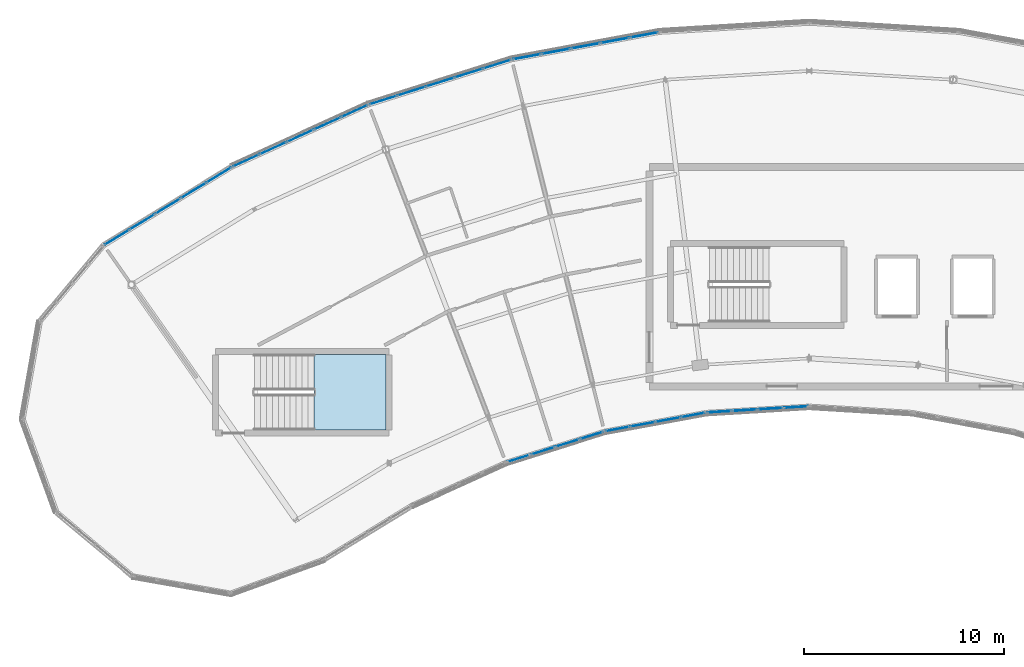
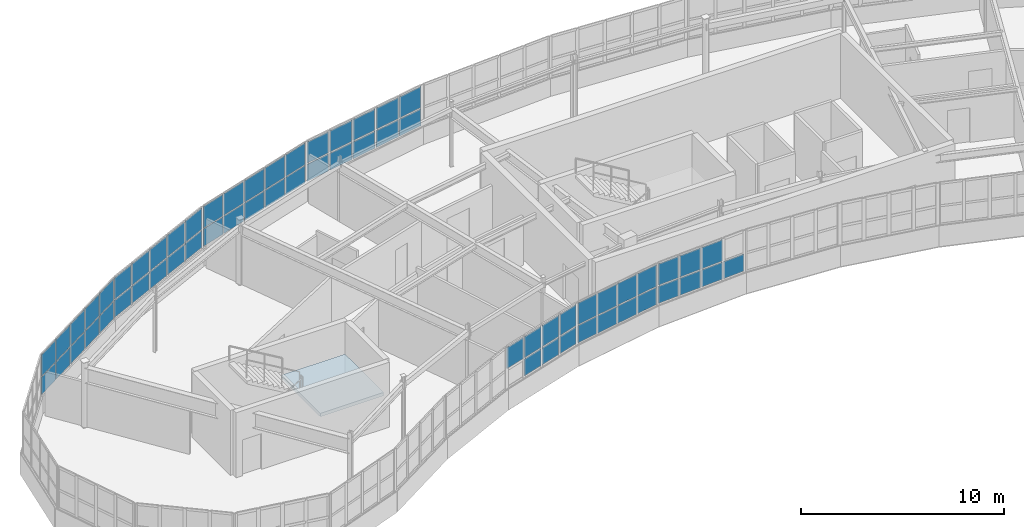
# One storey, part 41 of 65: 62 plates, 1 slab, 8 elements without a shape of their own.
"""IFC4 building model written with IfcOpenShell, lengths in metres."""

from ifc_helpers import new_model, si_unit, direction, frame, origin, origin_2d, place, context, subcontext, project, spatial, polyline, rectangle, outline, extrude, material, layer, layer_set, type_object, element, aggregate, save


model = new_model("IFC4")

# Units and contexts
model_context = context("Model", 3, precision=1e-05, world=origin(), true_north=direction((0.0, 1.0)))
body_context = subcontext(model_context, "Body", "Model", "MODEL_VIEW")
ifc_project = project(units=[si_unit("LENGTHUNIT", "METRE"), si_unit("AREAUNIT", "SQUARE_METRE"), si_unit("VOLUMEUNIT", "CUBIC_METRE"), si_unit("PLANEANGLEUNIT", "RADIAN"), si_unit("MASSUNIT", "GRAM", prefix="KILO")], contexts=[model_context])

# Site, building, storey
site_placement = place(None, origin())
site = spatial("IfcSite", under=ifc_project, at=site_placement, CompositionType="ELEMENT")
building_placement = place(site_placement, origin())
building = spatial("IfcBuilding", under=site, at=building_placement, Name="Tarnwether General Hospital", CompositionType="ELEMENT")
storey_placement = place(building_placement, frame((0.0, 0.0, 22.199951171875)))
storey = spatial("IfcBuildingStorey", under=building, at=storey_placement, Name="L05", CompositionType="ELEMENT", Elevation=22.199951171875)

# Curtain wall, plates
ifc_material_1 = material(Name="Anodised aluminium", Category="aluminium")
ifc_layer_1 = layer(ifc_material_1, 0.159912109375)
ifc_layer_set_1 = layer_set([ifc_layer_1], Name="Anodised aluminium")
curtain_wall_type_1 = type_object("IfcCurtainWallType", Name="CW-03", PredefinedType="NOTDEFINED", material=ifc_layer_set_1)
curtain_wall_1_placement = place(storey_placement, origin())
curtain_wall_1 = element("IfcCurtainWall", 1, at=curtain_wall_1_placement, inside=storey, type_object=curtain_wall_type_1, Name="Curtain Wall CWG-L05-817_1041-0072", PredefinedType="NOTDEFINED")
ifc_material_2 = material(Name="Double glazed low-E glass", Category="glass")
ifc_layer_2 = layer(ifc_material_2, 0.028076171875)
ifc_layer_set_2 = layer_set([ifc_layer_2], Name="Double glazed low-E glass")
plate_type_1 = type_object("IfcPlateType", Name="PT-CWP1", PredefinedType="CURTAIN_PANEL", material=ifc_layer_set_2)
plate_1_placement = place(storey_placement, frame((81.106689453125, 103.9404296875, 1.1298828125), z_axis=(0.0, 0.0, 1.0), x_axis=(-0.953713927508, -0.30071538783, 0.0)))
plate_1 = element("IfcPlate", 2, at=plate_1_placement, type_object=plate_type_1, Name="CW-03 panel 1.1", PredefinedType="CURTAIN_PANEL", context=body_context, shape_type="SweptSolid", body=[
    extrude(rectangle(XDim=1.17431640625, YDim=0.028076171875, at=origin_2d()), origin(), (0.0, 0.0, 1.0), 1.009521484375),
])
plate_2_placement = place(storey_placement, frame((81.106689453125, 103.9404296875, 2.2197265625), z_axis=(0.0, 0.0, 1.0), x_axis=(-0.953713927508, -0.30071538783, 0.0)))
plate_2 = element("IfcPlate", 3, at=plate_2_placement, type_object=plate_type_1, Name="CW-03 panel 1.2", PredefinedType="CURTAIN_PANEL", context=body_context, shape_type="SweptSolid", body=[
    extrude(rectangle(XDim=1.17431640625, YDim=0.028076171875, at=origin_2d()), origin(), (0.0, 0.0, 1.0), 1.260498046875),
])
plate_3_placement = place(storey_placement, frame((79.891357421875, 103.55712890625, 1.1298828125), z_axis=(0.0, 0.0, 1.0), x_axis=(-0.953713927508, -0.30071538783, 0.0)))
plate_3 = element("IfcPlate", 4, at=plate_3_placement, type_object=plate_type_1, Name="CW-03 panel 2.1", PredefinedType="CURTAIN_PANEL", context=body_context, shape_type="SweptSolid", body=[
    extrude(rectangle(XDim=1.21435546875, YDim=0.028076171875, at=origin_2d()), origin(), (0.0, 0.0, 1.0), 1.009521484375),
])
plate_4_placement = place(storey_placement, frame((79.891357421875, 103.55712890625, 2.2197265625), z_axis=(0.0, 0.0, 1.0), x_axis=(-0.953713927508, -0.30071538783, 0.0)))
plate_4 = element("IfcPlate", 5, at=plate_4_placement, type_object=plate_type_1, Name="CW-03 panel 2.2", PredefinedType="CURTAIN_PANEL", context=body_context, shape_type="SweptSolid", body=[
    extrude(rectangle(XDim=1.21435546875, YDim=0.028076171875, at=origin_2d()), origin(), (0.0, 0.0, 1.0), 1.260498046875),
])
plate_5_placement = place(storey_placement, frame((78.65673828125, 103.16796875, 1.1298828125), z_axis=(0.0, 0.0, 1.0), x_axis=(-0.953713927508, -0.30071538783, 0.0)))
plate_5 = element("IfcPlate", 6, at=plate_5_placement, type_object=plate_type_1, Name="CW-03 panel 3.1", PredefinedType="CURTAIN_PANEL", context=body_context, shape_type="SweptSolid", body=[
    extrude(rectangle(XDim=1.21435546875, YDim=0.028076171875, at=origin_2d()), origin(), (0.0, 0.0, 1.0), 1.009521484375),
])
plate_6_placement = place(storey_placement, frame((78.65673828125, 103.16796875, 2.2197265625), z_axis=(0.0, 0.0, 1.0), x_axis=(-0.953713927508, -0.30071538783, 0.0)))
plate_6 = element("IfcPlate", 7, at=plate_6_placement, type_object=plate_type_1, Name="CW-03 panel 3.2", PredefinedType="CURTAIN_PANEL", context=body_context, shape_type="SweptSolid", body=[
    extrude(rectangle(XDim=1.21435546875, YDim=0.028076171875, at=origin_2d()), origin(), (0.0, 0.0, 1.0), 1.260498046875),
])
plate_7_placement = place(storey_placement, frame((77.44140625, 102.78466796875, 2.2197265625), z_axis=(0.0, 0.0, 1.0), x_axis=(-0.953713927508, -0.30071538783, 0.0)))
plate_7 = element("IfcPlate", 8, at=plate_7_placement, type_object=plate_type_1, Name="CW-03 panel 4.2", PredefinedType="CURTAIN_PANEL", context=body_context, shape_type="SweptSolid", body=[
    extrude(rectangle(XDim=1.17431640625, YDim=0.028076171875, at=origin_2d()), origin(), (0.0, 0.0, 1.0), 1.260498046875),
])
aggregate(curtain_wall_1, [plate_1, plate_2, plate_3, plate_4, plate_5, plate_6, plate_7])

curtain_wall_2_placement = place(storey_placement, origin())
curtain_wall_2 = element("IfcCurtainWall", 9, at=curtain_wall_2_placement, inside=storey, type_object=curtain_wall_type_1, Name="Curtain Wall CWG-L05-868_1051-0073", PredefinedType="NOTDEFINED")
plate_8_placement = place(storey_placement, frame((86.181884765625, 104.96337890625, 1.110107421875), z_axis=(0.0, 0.0, 1.0), x_axis=(-0.983267910924, -0.182165351666, 0.0)))
plate_8 = element("IfcPlate", 10, at=plate_8_placement, type_object=plate_type_1, Name="CW-03 panel 1.1", PredefinedType="CURTAIN_PANEL", context=body_context, shape_type="SweptSolid", body=[
    extrude(rectangle(XDim=1.2041015625, YDim=0.028076171875, at=origin_2d()), origin(), (0.0, 0.0, 1.0), 1.03955078125),
])
plate_9_placement = place(storey_placement, frame((86.181884765625, 104.96337890625, 2.20947265625), z_axis=(0.0, 0.0, 1.0), x_axis=(-0.983267910924, -0.182165351666, 0.0)))
plate_9 = element("IfcPlate", 11, at=plate_9_placement, type_object=plate_type_1, Name="CW-03 panel 1.2", PredefinedType="CURTAIN_PANEL", context=body_context, shape_type="SweptSolid", body=[
    extrude(rectangle(XDim=1.2041015625, YDim=0.028076171875, at=origin_2d()), origin(), (0.0, 0.0, 1.0), 1.29052734375),
])
plate_10_placement = place(storey_placement, frame((84.92431640625, 104.73046875, 1.110107421875), z_axis=(0.0, 0.0, 1.0), x_axis=(-0.983267910924, -0.182165351666, 0.0)))
plate_10 = element("IfcPlate", 12, at=plate_10_placement, type_object=plate_type_1, Name="CW-03 panel 2.1", PredefinedType="CURTAIN_PANEL", context=body_context, shape_type="SweptSolid", body=[
    extrude(rectangle(XDim=1.234130859375, YDim=0.028076171875, at=origin_2d()), origin(), (0.0, 0.0, 1.0), 1.03955078125),
])
plate_11_placement = place(storey_placement, frame((84.92431640625, 104.73046875, 2.20947265625), z_axis=(0.0, 0.0, 1.0), x_axis=(-0.983267910924, -0.182165351666, 0.0)))
plate_11 = element("IfcPlate", 13, at=plate_11_placement, type_object=plate_type_1, Name="CW-03 panel 2.2", PredefinedType="CURTAIN_PANEL", context=body_context, shape_type="SweptSolid", body=[
    extrude(rectangle(XDim=1.234130859375, YDim=0.028076171875, at=origin_2d()), origin(), (0.0, 0.0, 1.0), 1.29052734375),
])
plate_12_placement = place(storey_placement, frame((83.65185546875, 104.49462890625, 1.110107421875), z_axis=(0.0, 0.0, 1.0), x_axis=(-0.983267910924, -0.182165351666, 0.0)))
plate_12 = element("IfcPlate", 14, at=plate_12_placement, type_object=plate_type_1, Name="CW-03 panel 3.1", PredefinedType="CURTAIN_PANEL", context=body_context, shape_type="SweptSolid", body=[
    extrude(rectangle(XDim=1.234130859375, YDim=0.028076171875, at=origin_2d()), origin(), (0.0, 0.0, 1.0), 1.03955078125),
])
plate_13_placement = place(storey_placement, frame((83.65185546875, 104.49462890625, 2.20947265625), z_axis=(0.0, 0.0, 1.0), x_axis=(-0.983267910924, -0.182165351666, 0.0)))
plate_13 = element("IfcPlate", 15, at=plate_13_placement, type_object=plate_type_1, Name="CW-03 panel 3.2", PredefinedType="CURTAIN_PANEL", context=body_context, shape_type="SweptSolid", body=[
    extrude(rectangle(XDim=1.234130859375, YDim=0.028076171875, at=origin_2d()), origin(), (0.0, 0.0, 1.0), 1.29052734375),
])
plate_14_placement = place(storey_placement, frame((82.39404296875, 104.26171875, 1.110107421875), z_axis=(0.0, 0.0, 1.0), x_axis=(-0.983267910924, -0.182165351666, 0.0)))
plate_14 = element("IfcPlate", 16, at=plate_14_placement, type_object=plate_type_1, Name="CW-03 panel 4.1", PredefinedType="CURTAIN_PANEL", context=body_context, shape_type="SweptSolid", body=[
    extrude(rectangle(XDim=1.2041015625, YDim=0.028076171875, at=origin_2d()), origin(), (0.0, 0.0, 1.0), 1.03955078125),
])
plate_15_placement = place(storey_placement, frame((82.39404296875, 104.26171875, 2.20947265625), z_axis=(0.0, 0.0, 1.0), x_axis=(-0.983267910924, -0.182165351666, 0.0)))
plate_15 = element("IfcPlate", 17, at=plate_15_placement, type_object=plate_type_1, Name="CW-03 panel 4.2", PredefinedType="CURTAIN_PANEL", context=body_context, shape_type="SweptSolid", body=[
    extrude(rectangle(XDim=1.2041015625, YDim=0.028076171875, at=origin_2d()), origin(), (0.0, 0.0, 1.0), 1.29052734375),
])
aggregate(curtain_wall_2, [plate_8, plate_9, plate_10, plate_11, plate_12, plate_13, plate_14, plate_15])

ifc_material_3 = material(Name="Anodised aluminium", Category="aluminium")
ifc_layer_3 = layer(ifc_material_3, 0.159912109375)
ifc_layer_set_3 = layer_set([ifc_layer_3], Name="Anodised aluminium")
curtain_wall_type_2 = type_object("IfcCurtainWallType", Name="CW-05", PredefinedType="NOTDEFINED", material=ifc_layer_set_3)
curtain_wall_3_placement = place(storey_placement, origin())
curtain_wall_3 = element("IfcCurtainWall", 18, at=curtain_wall_3_placement, inside=storey, type_object=curtain_wall_type_2, Name="Curtain Wall CWG-L05-699_1205-0093", PredefinedType="NOTDEFINED")
plate_16_placement = place(storey_placement, frame((70.656494140625, 120.739501953125, 1.110107421875), z_axis=(0.0, 0.0, 1.0), x_axis=(0.953741284032, 0.300628613299, 0.0)))
plate_16 = element("IfcPlate", 19, at=plate_16_placement, type_object=plate_type_1, Name="CW-05 panel 1.1", PredefinedType="CURTAIN_PANEL", context=body_context, shape_type="SweptSolid", body=[
    extrude(rectangle(XDim=1.4140625, YDim=0.028076171875, at=origin_2d()), origin(), (0.0, 0.0, 1.0), 1.03955078125),
])
plate_17_placement = place(storey_placement, frame((70.656494140625, 120.739501953125, 2.20947265625), z_axis=(0.0, 0.0, 1.0), x_axis=(0.953741284032, 0.300628613299, 0.0)))
plate_17 = element("IfcPlate", 20, at=plate_17_placement, type_object=plate_type_1, Name="CW-05 panel 1.2", PredefinedType="CURTAIN_PANEL", context=body_context, shape_type="SweptSolid", body=[
    extrude(rectangle(XDim=1.4140625, YDim=0.028076171875, at=origin_2d()), origin(), (0.0, 0.0, 1.0), 1.29052734375),
])
plate_18_placement = place(storey_placement, frame((72.076904296875, 121.187255859375, 1.110107421875), z_axis=(0.0, 0.0, 1.0), x_axis=(0.953741284032, 0.300628613299, 0.0)))
plate_18 = element("IfcPlate", 21, at=plate_18_placement, type_object=plate_type_1, Name="CW-05 panel 2.1", PredefinedType="CURTAIN_PANEL", context=body_context, shape_type="SweptSolid", body=[
    extrude(rectangle(XDim=1.444091796875, YDim=0.028076171875, at=origin_2d()), origin(), (0.0, 0.0, 1.0), 1.03955078125),
])
plate_19_placement = place(storey_placement, frame((72.076904296875, 121.187255859375, 2.20947265625), z_axis=(0.0, 0.0, 1.0), x_axis=(0.953741284032, 0.300628613299, 0.0)))
plate_19 = element("IfcPlate", 22, at=plate_19_placement, type_object=plate_type_1, Name="CW-05 panel 2.2", PredefinedType="CURTAIN_PANEL", context=body_context, shape_type="SweptSolid", body=[
    extrude(rectangle(XDim=1.444091796875, YDim=0.028076171875, at=origin_2d()), origin(), (0.0, 0.0, 1.0), 1.29052734375),
])
plate_20_placement = place(storey_placement, frame((73.511474609375, 121.639404296875, 1.110107421875), z_axis=(0.0, 0.0, 1.0), x_axis=(0.953741284032, 0.300628613299, 0.0)))
plate_20 = element("IfcPlate", 23, at=plate_20_placement, type_object=plate_type_1, Name="CW-05 panel 3.1", PredefinedType="CURTAIN_PANEL", context=body_context, shape_type="SweptSolid", body=[
    extrude(rectangle(XDim=1.444091796875, YDim=0.028076171875, at=origin_2d()), origin(), (0.0, 0.0, 1.0), 1.03955078125),
])
plate_21_placement = place(storey_placement, frame((73.511474609375, 121.639404296875, 2.20947265625), z_axis=(0.0, 0.0, 1.0), x_axis=(0.953741284032, 0.300628613299, 0.0)))
plate_21 = element("IfcPlate", 24, at=plate_21_placement, type_object=plate_type_1, Name="CW-05 panel 3.2", PredefinedType="CURTAIN_PANEL", context=body_context, shape_type="SweptSolid", body=[
    extrude(rectangle(XDim=1.444091796875, YDim=0.028076171875, at=origin_2d()), origin(), (0.0, 0.0, 1.0), 1.29052734375),
])
plate_22_placement = place(storey_placement, frame((74.946044921875, 122.091796875, 1.110107421875), z_axis=(0.0, 0.0, 1.0), x_axis=(0.953741284032, 0.300628613299, 0.0)))
plate_22 = element("IfcPlate", 25, at=plate_22_placement, type_object=plate_type_1, Name="CW-05 panel 4.1", PredefinedType="CURTAIN_PANEL", context=body_context, shape_type="SweptSolid", body=[
    extrude(rectangle(XDim=1.444091796875, YDim=0.028076171875, at=origin_2d()), origin(), (0.0, 0.0, 1.0), 1.03955078125),
])
plate_23_placement = place(storey_placement, frame((74.946044921875, 122.091796875, 2.20947265625), z_axis=(0.0, 0.0, 1.0), x_axis=(0.953741284032, 0.300628613299, 0.0)))
plate_23 = element("IfcPlate", 26, at=plate_23_placement, type_object=plate_type_1, Name="CW-05 panel 4.2", PredefinedType="CURTAIN_PANEL", context=body_context, shape_type="SweptSolid", body=[
    extrude(rectangle(XDim=1.444091796875, YDim=0.028076171875, at=origin_2d()), origin(), (0.0, 0.0, 1.0), 1.29052734375),
])
plate_24_placement = place(storey_placement, frame((76.366455078125, 122.539306640625, 1.110107421875), z_axis=(0.0, 0.0, 1.0), x_axis=(0.953741284032, 0.300628613299, 0.0)))
plate_24 = element("IfcPlate", 27, at=plate_24_placement, type_object=plate_type_1, Name="CW-05 panel 5.1", PredefinedType="CURTAIN_PANEL", context=body_context, shape_type="SweptSolid", body=[
    extrude(rectangle(XDim=1.4140625, YDim=0.028076171875, at=origin_2d()), origin(), (0.0, 0.0, 1.0), 1.03955078125),
])
plate_25_placement = place(storey_placement, frame((76.366455078125, 122.539306640625, 2.20947265625), z_axis=(0.0, 0.0, 1.0), x_axis=(0.953741284032, 0.300628613299, 0.0)))
plate_25 = element("IfcPlate", 28, at=plate_25_placement, type_object=plate_type_1, Name="CW-05 panel 5.2", PredefinedType="CURTAIN_PANEL", context=body_context, shape_type="SweptSolid", body=[
    extrude(rectangle(XDim=1.4140625, YDim=0.028076171875, at=origin_2d()), origin(), (0.0, 0.0, 1.0), 1.29052734375),
])
aggregate(curtain_wall_3, [plate_16, plate_17, plate_18, plate_19, plate_20, plate_21, plate_22, plate_23, plate_24, plate_25])

curtain_wall_4_placement = place(storey_placement, origin())
curtain_wall_4 = element("IfcCurtainWall", 29, at=curtain_wall_4_placement, inside=storey, type_object=curtain_wall_type_2, Name="Curtain Wall CWG-L05-631_1174-0094", PredefinedType="NOTDEFINED")
plate_26_placement = place(storey_placement, frame((63.78125, 117.709228515625, 1.1201171875), z_axis=(0.0, 0.0, 1.0), x_axis=(0.909960793886, 0.414694289316, 0.0)))
plate_26 = element("IfcPlate", 30, at=plate_26_placement, type_object=plate_type_1, Name="CW-05 panel 1.1", PredefinedType="CURTAIN_PANEL", context=body_context, shape_type="SweptSolid", body=[
    extrude(rectangle(XDim=1.399169921875, YDim=0.028076171875, at=origin_2d()), origin(), (0.0, 0.0, 1.0), 1.0244140625),
])
plate_27_placement = place(storey_placement, frame((63.78125, 117.709228515625, 2.214599609375), z_axis=(0.0, 0.0, 1.0), x_axis=(0.909960793886, 0.414694289316, 0.0)))
plate_27 = element("IfcPlate", 31, at=plate_27_placement, type_object=plate_type_1, Name="CW-05 panel 1.2", PredefinedType="CURTAIN_PANEL", context=body_context, shape_type="SweptSolid", body=[
    extrude(rectangle(XDim=1.399169921875, YDim=0.028076171875, at=origin_2d()), origin(), (0.0, 0.0, 1.0), 1.275390625),
])
plate_28_placement = place(storey_placement, frame((65.13427734375, 118.32568359375, 1.1201171875), z_axis=(0.0, 0.0, 1.0), x_axis=(0.909960793886, 0.414694289316, 0.0)))
plate_28 = element("IfcPlate", 32, at=plate_28_placement, type_object=plate_type_1, Name="CW-05 panel 2.1", PredefinedType="CURTAIN_PANEL", context=body_context, shape_type="SweptSolid", body=[
    extrude(rectangle(XDim=1.434326171875, YDim=0.028076171875, at=origin_2d()), origin(), (0.0, 0.0, 1.0), 1.0244140625),
])
plate_29_placement = place(storey_placement, frame((65.13427734375, 118.32568359375, 2.214599609375), z_axis=(0.0, 0.0, 1.0), x_axis=(0.909960793886, 0.414694289316, 0.0)))
plate_29 = element("IfcPlate", 33, at=plate_29_placement, type_object=plate_type_1, Name="CW-05 panel 2.2", PredefinedType="CURTAIN_PANEL", context=body_context, shape_type="SweptSolid", body=[
    extrude(rectangle(XDim=1.434326171875, YDim=0.028076171875, at=origin_2d()), origin(), (0.0, 0.0, 1.0), 1.275390625),
])
plate_30_placement = place(storey_placement, frame((66.5029296875, 118.949462890625, 1.1201171875), z_axis=(0.0, 0.0, 1.0), x_axis=(0.909960793886, 0.414694289316, 0.0)))
plate_30 = element("IfcPlate", 34, at=plate_30_placement, type_object=plate_type_1, Name="CW-05 panel 3.1", PredefinedType="CURTAIN_PANEL", context=body_context, shape_type="SweptSolid", body=[
    extrude(rectangle(XDim=1.434326171875, YDim=0.028076171875, at=origin_2d()), origin(), (0.0, 0.0, 1.0), 1.0244140625),
])
plate_31_placement = place(storey_placement, frame((66.5029296875, 118.949462890625, 2.214599609375), z_axis=(0.0, 0.0, 1.0), x_axis=(0.909960793886, 0.414694289316, 0.0)))
plate_31 = element("IfcPlate", 35, at=plate_31_placement, type_object=plate_type_1, Name="CW-05 panel 3.2", PredefinedType="CURTAIN_PANEL", context=body_context, shape_type="SweptSolid", body=[
    extrude(rectangle(XDim=1.434326171875, YDim=0.028076171875, at=origin_2d()), origin(), (0.0, 0.0, 1.0), 1.275390625),
])
plate_32_placement = place(storey_placement, frame((67.871826171875, 119.5732421875, 1.1201171875), z_axis=(0.0, 0.0, 1.0), x_axis=(0.909960793886, 0.414694289316, 0.0)))
plate_32 = element("IfcPlate", 36, at=plate_32_placement, type_object=plate_type_1, Name="CW-05 panel 4.1", PredefinedType="CURTAIN_PANEL", context=body_context, shape_type="SweptSolid", body=[
    extrude(rectangle(XDim=1.434326171875, YDim=0.028076171875, at=origin_2d()), origin(), (0.0, 0.0, 1.0), 1.0244140625),
])
plate_33_placement = place(storey_placement, frame((67.871826171875, 119.5732421875, 2.214599609375), z_axis=(0.0, 0.0, 1.0), x_axis=(0.909960793886, 0.414694289316, 0.0)))
plate_33 = element("IfcPlate", 37, at=plate_33_placement, type_object=plate_type_1, Name="CW-05 panel 4.2", PredefinedType="CURTAIN_PANEL", context=body_context, shape_type="SweptSolid", body=[
    extrude(rectangle(XDim=1.434326171875, YDim=0.028076171875, at=origin_2d()), origin(), (0.0, 0.0, 1.0), 1.275390625),
])
plate_34_placement = place(storey_placement, frame((69.224609375, 120.18994140625, 1.1201171875), z_axis=(0.0, 0.0, 1.0), x_axis=(0.909960793886, 0.414694289316, 0.0)))
plate_34 = element("IfcPlate", 38, at=plate_34_placement, type_object=plate_type_1, Name="CW-05 panel 5.1", PredefinedType="CURTAIN_PANEL", context=body_context, shape_type="SweptSolid", body=[
    extrude(rectangle(XDim=1.399169921875, YDim=0.028076171875, at=origin_2d()), origin(), (0.0, 0.0, 1.0), 1.0244140625),
])
plate_35_placement = place(storey_placement, frame((69.224609375, 120.18994140625, 2.214599609375), z_axis=(0.0, 0.0, 1.0), x_axis=(0.909960793886, 0.414694289316, 0.0)))
plate_35 = element("IfcPlate", 39, at=plate_35_placement, type_object=plate_type_1, Name="CW-05 panel 5.2", PredefinedType="CURTAIN_PANEL", context=body_context, shape_type="SweptSolid", body=[
    extrude(rectangle(XDim=1.399169921875, YDim=0.028076171875, at=origin_2d()), origin(), (0.0, 0.0, 1.0), 1.275390625),
])
aggregate(curtain_wall_4, [plate_26, plate_27, plate_28, plate_29, plate_30, plate_31, plate_32, plate_33, plate_34, plate_35])

curtain_wall_5_placement = place(storey_placement, origin())
curtain_wall_5 = element("IfcCurtainWall", 40, at=curtain_wall_5_placement, inside=storey, type_object=curtain_wall_type_1, Name="Curtain Wall CWG-L05-920_1054-0074", PredefinedType="NOTDEFINED")
ifc_material_4 = material(Name="Double glazed low-E glass", Category="glass")
ifc_layer_4 = layer(ifc_material_4, 0.035888671875)
ifc_layer_set_4 = layer_set([ifc_layer_4], Name="Double glazed low-E glass")
plate_type_2 = type_object("IfcPlateType", Name="PT-CWP2", PredefinedType="CURTAIN_PANEL", material=ifc_layer_set_4)
plate_36_placement = place(storey_placement, frame((91.336669921875, 105.359375, 1.1201171875), z_axis=(0.0, 0.0, 1.0), x_axis=(-0.998135119267, -0.06104329354, 0.0)))
plate_36 = element("IfcPlate", 41, at=plate_36_placement, type_object=plate_type_2, Name="CW-03 panel 1.1", PredefinedType="CURTAIN_PANEL", context=body_context, shape_type="SweptSolid", body=[
    extrude(rectangle(XDim=1.189208984375, YDim=0.035888671875, at=origin_2d()), origin(), (0.0, 0.0, 1.0), 1.0244140625),
])
plate_37_placement = place(storey_placement, frame((90.062255859375, 105.281494140625, 1.1201171875), z_axis=(0.0, 0.0, 1.0), x_axis=(-0.998135119267, -0.06104329354, 0.0)))
plate_37 = element("IfcPlate", 42, at=plate_37_placement, type_object=plate_type_2, Name="CW-03 panel 2.1", PredefinedType="CURTAIN_PANEL", context=body_context, shape_type="SweptSolid", body=[
    extrude(rectangle(XDim=1.22412109375, YDim=0.035888671875, at=origin_2d()), origin(), (0.0, 0.0, 1.0), 1.0244140625),
])
plate_38_placement = place(storey_placement, frame((90.062255859375, 105.281494140625, 2.214599609375), z_axis=(0.0, 0.0, 1.0), x_axis=(-0.998135119267, -0.06104329354, 0.0)))
plate_38 = element("IfcPlate", 43, at=plate_38_placement, type_object=plate_type_2, Name="CW-03 panel 2.2", PredefinedType="CURTAIN_PANEL", context=body_context, shape_type="SweptSolid", body=[
    extrude(rectangle(XDim=1.22412109375, YDim=0.035888671875, at=origin_2d()), origin(), (0.0, 0.0, 1.0), 1.275390625),
])
plate_39_placement = place(storey_placement, frame((88.7705078125, 105.202392578125, 1.1201171875), z_axis=(0.0, 0.0, 1.0), x_axis=(-0.998135119267, -0.06104329354, 0.0)))
plate_39 = element("IfcPlate", 44, at=plate_39_placement, type_object=plate_type_2, Name="CW-03 panel 3.1", PredefinedType="CURTAIN_PANEL", context=body_context, shape_type="SweptSolid", body=[
    extrude(rectangle(XDim=1.22412109375, YDim=0.035888671875, at=origin_2d()), origin(), (0.0, 0.0, 1.0), 1.0244140625),
])
plate_40_placement = place(storey_placement, frame((88.7705078125, 105.202392578125, 2.214599609375), z_axis=(0.0, 0.0, 1.0), x_axis=(-0.998135119267, -0.06104329354, 0.0)))
plate_40 = element("IfcPlate", 45, at=plate_40_placement, type_object=plate_type_2, Name="CW-03 panel 3.2", PredefinedType="CURTAIN_PANEL", context=body_context, shape_type="SweptSolid", body=[
    extrude(rectangle(XDim=1.22412109375, YDim=0.035888671875, at=origin_2d()), origin(), (0.0, 0.0, 1.0), 1.275390625),
])
plate_41_placement = place(storey_placement, frame((87.496337890625, 105.12451171875, 1.1201171875), z_axis=(0.0, 0.0, 1.0), x_axis=(-0.998135119267, -0.06104329354, 0.0)))
plate_41 = element("IfcPlate", 46, at=plate_41_placement, type_object=plate_type_2, Name="CW-03 panel 4.1", PredefinedType="CURTAIN_PANEL", context=body_context, shape_type="SweptSolid", body=[
    extrude(rectangle(XDim=1.189208984375, YDim=0.035888671875, at=origin_2d()), origin(), (0.0, 0.0, 1.0), 1.0244140625),
])
plate_42_placement = place(storey_placement, frame((87.496337890625, 105.12451171875, 2.214599609375), z_axis=(0.0, 0.0, 1.0), x_axis=(-0.998135119267, -0.06104329354, 0.0)))
plate_42 = element("IfcPlate", 47, at=plate_42_placement, type_object=plate_type_2, Name="CW-03 panel 4.2", PredefinedType="CURTAIN_PANEL", context=body_context, shape_type="SweptSolid", body=[
    extrude(rectangle(XDim=1.189208984375, YDim=0.035888671875, at=origin_2d()), origin(), (0.0, 0.0, 1.0), 1.275390625),
])
aggregate(curtain_wall_5, [plate_36, plate_37, plate_38, plate_39, plate_40, plate_41, plate_42])

curtain_wall_6_placement = place(storey_placement, origin())
curtain_wall_6 = element("IfcCurtainWall", 48, at=curtain_wall_6_placement, inside=storey, type_object=curtain_wall_type_2, Name="Curtain Wall CWG-L05-771_1228-0092", PredefinedType="NOTDEFINED")
plate_43_placement = place(storey_placement, frame((77.857177734375, 122.91064453125, 1.1298828125), z_axis=(0.0, 0.0, 1.0), x_axis=(0.983244953132, 0.182289226614, 0.0)))
plate_43 = element("IfcPlate", 49, at=plate_43_placement, type_object=plate_type_2, Name="CW-05 panel 1.1", PredefinedType="CURTAIN_PANEL", context=body_context, shape_type="SweptSolid", body=[
    extrude(rectangle(XDim=1.38427734375, YDim=0.035888671875, at=origin_2d()), origin(), (0.0, 0.0, 1.0), 1.009521484375),
])
plate_44_placement = place(storey_placement, frame((77.857177734375, 122.91064453125, 2.2197265625), z_axis=(0.0, 0.0, 1.0), x_axis=(0.983244953132, 0.182289226614, 0.0)))
plate_44 = element("IfcPlate", 50, at=plate_44_placement, type_object=plate_type_2, Name="CW-05 panel 1.2", PredefinedType="CURTAIN_PANEL", context=body_context, shape_type="SweptSolid", body=[
    extrude(rectangle(XDim=1.38427734375, YDim=0.035888671875, at=origin_2d()), origin(), (0.0, 0.0, 1.0), 1.260498046875),
])
plate_45_placement = place(storey_placement, frame((79.31640625, 123.181396484375, 1.1298828125), z_axis=(0.0, 0.0, 1.0), x_axis=(0.983244953132, 0.182289226614, 0.0)))
plate_45 = element("IfcPlate", 51, at=plate_45_placement, type_object=plate_type_2, Name="CW-05 panel 2.1", PredefinedType="CURTAIN_PANEL", context=body_context, shape_type="SweptSolid", body=[
    extrude(rectangle(XDim=1.42431640625, YDim=0.035888671875, at=origin_2d()), origin(), (0.0, 0.0, 1.0), 1.009521484375),
])
plate_46_placement = place(storey_placement, frame((79.31640625, 123.181396484375, 2.2197265625), z_axis=(0.0, 0.0, 1.0), x_axis=(0.983244953132, 0.182289226614, 0.0)))
plate_46 = element("IfcPlate", 52, at=plate_46_placement, type_object=plate_type_2, Name="CW-05 panel 2.2", PredefinedType="CURTAIN_PANEL", context=body_context, shape_type="SweptSolid", body=[
    extrude(rectangle(XDim=1.42431640625, YDim=0.035888671875, at=origin_2d()), origin(), (0.0, 0.0, 1.0), 1.260498046875),
])
plate_47_placement = place(storey_placement, frame((80.79541015625, 123.45556640625, 1.1298828125), z_axis=(0.0, 0.0, 1.0), x_axis=(0.983244953132, 0.182289226614, 0.0)))
plate_47 = element("IfcPlate", 53, at=plate_47_placement, type_object=plate_type_2, Name="CW-05 panel 3.1", PredefinedType="CURTAIN_PANEL", context=body_context, shape_type="SweptSolid", body=[
    extrude(rectangle(XDim=1.42431640625, YDim=0.035888671875, at=origin_2d()), origin(), (0.0, 0.0, 1.0), 1.009521484375),
])
plate_48_placement = place(storey_placement, frame((80.79541015625, 123.45556640625, 2.2197265625), z_axis=(0.0, 0.0, 1.0), x_axis=(0.983244953132, 0.182289226614, 0.0)))
plate_48 = element("IfcPlate", 54, at=plate_48_placement, type_object=plate_type_2, Name="CW-05 panel 3.2", PredefinedType="CURTAIN_PANEL", context=body_context, shape_type="SweptSolid", body=[
    extrude(rectangle(XDim=1.42431640625, YDim=0.035888671875, at=origin_2d()), origin(), (0.0, 0.0, 1.0), 1.260498046875),
])
plate_49_placement = place(storey_placement, frame((82.2744140625, 123.729736328125, 1.1298828125), z_axis=(0.0, 0.0, 1.0), x_axis=(0.983244953132, 0.182289226614, 0.0)))
plate_49 = element("IfcPlate", 55, at=plate_49_placement, type_object=plate_type_2, Name="CW-05 panel 4.1", PredefinedType="CURTAIN_PANEL", context=body_context, shape_type="SweptSolid", body=[
    extrude(rectangle(XDim=1.42431640625, YDim=0.035888671875, at=origin_2d()), origin(), (0.0, 0.0, 1.0), 1.009521484375),
])
plate_50_placement = place(storey_placement, frame((82.2744140625, 123.729736328125, 2.2197265625), z_axis=(0.0, 0.0, 1.0), x_axis=(0.983244953132, 0.182289226614, 0.0)))
plate_50 = element("IfcPlate", 56, at=plate_50_placement, type_object=plate_type_2, Name="CW-05 panel 4.2", PredefinedType="CURTAIN_PANEL", context=body_context, shape_type="SweptSolid", body=[
    extrude(rectangle(XDim=1.42431640625, YDim=0.035888671875, at=origin_2d()), origin(), (0.0, 0.0, 1.0), 1.260498046875),
])
plate_51_placement = place(storey_placement, frame((83.73388671875, 124.000244140625, 1.1298828125), z_axis=(0.0, 0.0, 1.0), x_axis=(0.983244953132, 0.182289226614, 0.0)))
plate_51 = element("IfcPlate", 57, at=plate_51_placement, type_object=plate_type_2, Name="CW-05 panel 5.1", PredefinedType="CURTAIN_PANEL", context=body_context, shape_type="SweptSolid", body=[
    extrude(rectangle(XDim=1.38427734375, YDim=0.035888671875, at=origin_2d()), origin(), (0.0, 0.0, 1.0), 1.009521484375),
])
plate_52_placement = place(storey_placement, frame((83.73388671875, 124.000244140625, 2.2197265625), z_axis=(0.0, 0.0, 1.0), x_axis=(0.983244953132, 0.182289226614, 0.0)))
plate_52 = element("IfcPlate", 58, at=plate_52_placement, type_object=plate_type_2, Name="CW-05 panel 5.2", PredefinedType="CURTAIN_PANEL", context=body_context, shape_type="SweptSolid", body=[
    extrude(rectangle(XDim=1.38427734375, YDim=0.035888671875, at=origin_2d()), origin(), (0.0, 0.0, 1.0), 1.260498046875),
])
aggregate(curtain_wall_6, [plate_43, plate_44, plate_45, plate_46, plate_47, plate_48, plate_49, plate_50, plate_51, plate_52])

curtain_wall_7_placement = place(storey_placement, origin())
curtain_wall_7 = element("IfcCurtainWall", 59, at=curtain_wall_7_placement, inside=storey, type_object=curtain_wall_type_2, Name="Curtain Wall CWG-L05-567_1135-0095", PredefinedType="NOTDEFINED")
plate_53_placement = place(storey_placement, frame((57.3232421875, 113.861572265625, 1.115234375), z_axis=(0.0, 0.0, 1.0), x_axis=(0.852633734977, 0.522509056361, 0.0)))
plate_53 = element("IfcPlate", 60, at=plate_53_placement, type_object=plate_type_2, Name="CW-05 panel 1.1", PredefinedType="CURTAIN_PANEL", context=body_context, shape_type="SweptSolid", body=[
    extrude(rectangle(XDim=1.40673828125, YDim=0.035888671875, at=origin_2d()), origin(), (0.0, 0.0, 1.0), 1.031982421875),
])
plate_54_placement = place(storey_placement, frame((57.3232421875, 113.861572265625, 2.2119140625), z_axis=(0.0, 0.0, 1.0), x_axis=(0.852633734977, 0.522509056361, 0.0)))
plate_54 = element("IfcPlate", 61, at=plate_54_placement, type_object=plate_type_2, Name="CW-05 panel 1.2", PredefinedType="CURTAIN_PANEL", context=body_context, shape_type="SweptSolid", body=[
    extrude(rectangle(XDim=1.40673828125, YDim=0.035888671875, at=origin_2d()), origin(), (0.0, 0.0, 1.0), 1.282958984375),
])
plate_55_placement = place(storey_placement, frame((58.591796875, 114.638916015625, 1.115234375), z_axis=(0.0, 0.0, 1.0), x_axis=(0.852633734977, 0.522509056361, 0.0)))
plate_55 = element("IfcPlate", 62, at=plate_55_placement, type_object=plate_type_2, Name="CW-05 panel 2.1", PredefinedType="CURTAIN_PANEL", context=body_context, shape_type="SweptSolid", body=[
    extrude(rectangle(XDim=1.439208984375, YDim=0.035888671875, at=origin_2d()), origin(), (0.0, 0.0, 1.0), 1.031982421875),
])
plate_56_placement = place(storey_placement, frame((58.591796875, 114.638916015625, 2.2119140625), z_axis=(0.0, 0.0, 1.0), x_axis=(0.852633734977, 0.522509056361, 0.0)))
plate_56 = element("IfcPlate", 63, at=plate_56_placement, type_object=plate_type_2, Name="CW-05 panel 2.2", PredefinedType="CURTAIN_PANEL", context=body_context, shape_type="SweptSolid", body=[
    extrude(rectangle(XDim=1.439208984375, YDim=0.035888671875, at=origin_2d()), origin(), (0.0, 0.0, 1.0), 1.282958984375),
])
plate_57_placement = place(storey_placement, frame((59.87451171875, 115.425048828125, 1.115234375), z_axis=(0.0, 0.0, 1.0), x_axis=(0.852633734977, 0.522509056361, 0.0)))
plate_57 = element("IfcPlate", 64, at=plate_57_placement, type_object=plate_type_2, Name="CW-05 panel 3.1", PredefinedType="CURTAIN_PANEL", context=body_context, shape_type="SweptSolid", body=[
    extrude(rectangle(XDim=1.439208984375, YDim=0.035888671875, at=origin_2d()), origin(), (0.0, 0.0, 1.0), 1.031982421875),
])
plate_58_placement = place(storey_placement, frame((59.87451171875, 115.425048828125, 2.2119140625), z_axis=(0.0, 0.0, 1.0), x_axis=(0.852633734977, 0.522509056361, 0.0)))
plate_58 = element("IfcPlate", 65, at=plate_58_placement, type_object=plate_type_2, Name="CW-05 panel 3.2", PredefinedType="CURTAIN_PANEL", context=body_context, shape_type="SweptSolid", body=[
    extrude(rectangle(XDim=1.439208984375, YDim=0.035888671875, at=origin_2d()), origin(), (0.0, 0.0, 1.0), 1.282958984375),
])
plate_59_placement = place(storey_placement, frame((61.156982421875, 116.2109375, 1.115234375), z_axis=(0.0, 0.0, 1.0), x_axis=(0.852633734977, 0.522509056361, 0.0)))
plate_59 = element("IfcPlate", 66, at=plate_59_placement, type_object=plate_type_2, Name="CW-05 panel 4.1", PredefinedType="CURTAIN_PANEL", context=body_context, shape_type="SweptSolid", body=[
    extrude(rectangle(XDim=1.439208984375, YDim=0.035888671875, at=origin_2d()), origin(), (0.0, 0.0, 1.0), 1.031982421875),
])
plate_60_placement = place(storey_placement, frame((61.156982421875, 116.2109375, 2.2119140625), z_axis=(0.0, 0.0, 1.0), x_axis=(0.852633734977, 0.522509056361, 0.0)))
plate_60 = element("IfcPlate", 67, at=plate_60_placement, type_object=plate_type_2, Name="CW-05 panel 4.2", PredefinedType="CURTAIN_PANEL", context=body_context, shape_type="SweptSolid", body=[
    extrude(rectangle(XDim=1.439208984375, YDim=0.035888671875, at=origin_2d()), origin(), (0.0, 0.0, 1.0), 1.282958984375),
])
plate_61_placement = place(storey_placement, frame((62.42578125, 116.988525390625, 1.115234375), z_axis=(0.0, 0.0, 1.0), x_axis=(0.852633734977, 0.522509056361, 0.0)))
plate_61 = element("IfcPlate", 68, at=plate_61_placement, type_object=plate_type_2, Name="CW-05 panel 5.1", PredefinedType="CURTAIN_PANEL", context=body_context, shape_type="SweptSolid", body=[
    extrude(rectangle(XDim=1.40673828125, YDim=0.035888671875, at=origin_2d()), origin(), (0.0, 0.0, 1.0), 1.031982421875),
])
plate_62_placement = place(storey_placement, frame((62.42578125, 116.988525390625, 2.2119140625), z_axis=(0.0, 0.0, 1.0), x_axis=(0.852633734977, 0.522509056361, 0.0)))
plate_62 = element("IfcPlate", 69, at=plate_62_placement, type_object=plate_type_2, Name="CW-05 panel 5.2", PredefinedType="CURTAIN_PANEL", context=body_context, shape_type="SweptSolid", body=[
    extrude(rectangle(XDim=1.40673828125, YDim=0.035888671875, at=origin_2d()), origin(), (0.0, 0.0, 1.0), 1.282958984375),
])
aggregate(curtain_wall_7, [plate_53, plate_54, plate_55, plate_56, plate_57, plate_58, plate_59, plate_60, plate_61, plate_62])

# Stair, slab
ifc_material_5 = material(Name="Concrete 40 MPa", Category="concrete")
stair_type = type_object("IfcStairType", Name="ST-DL39A", PredefinedType="HALF_TURN_STAIR", material=ifc_material_5)
stair_placement = place(storey_placement, origin())
stair = element("IfcStair", 70, at=stair_placement, inside=storey, type_object=stair_type, Name="L05 Exit Stair ST-07", PredefinedType="HALF_TURN_STAIR")
ifc_material_6 = material(Name="Concrete 40 MPa", Category="concrete")
ifc_layer_5 = layer(ifc_material_6, 0.199951171875)
ifc_layer_set_5 = layer_set([ifc_layer_5], Name="Concrete 40 MPa")
slab_type = type_object("IfcSlabType", Name="SL-LD200", PredefinedType="LANDING", material=ifc_layer_set_5)
slab_placement = place(storey_placement, frame((0.0, 0.0, 1.75)))
slab = element("IfcSlab", 71, at=slab_placement, type_object=slab_type, Name="ST-07 landing 1", PredefinedType="LANDING", context=body_context, shape_type="SweptSolid", body=[
    extrude(outline(polyline([(67.199951171875, 104.199951171875), (70.800048828125, 104.199951171875), (70.800048828125, 108.0), (67.199951171875, 108.0), (67.199951171875, 104.199951171875)])), origin(), (0.0, 0.0, 1.0), 0.199951171875),
])
aggregate(stair, [slab])

save(model, "model.ifc")
